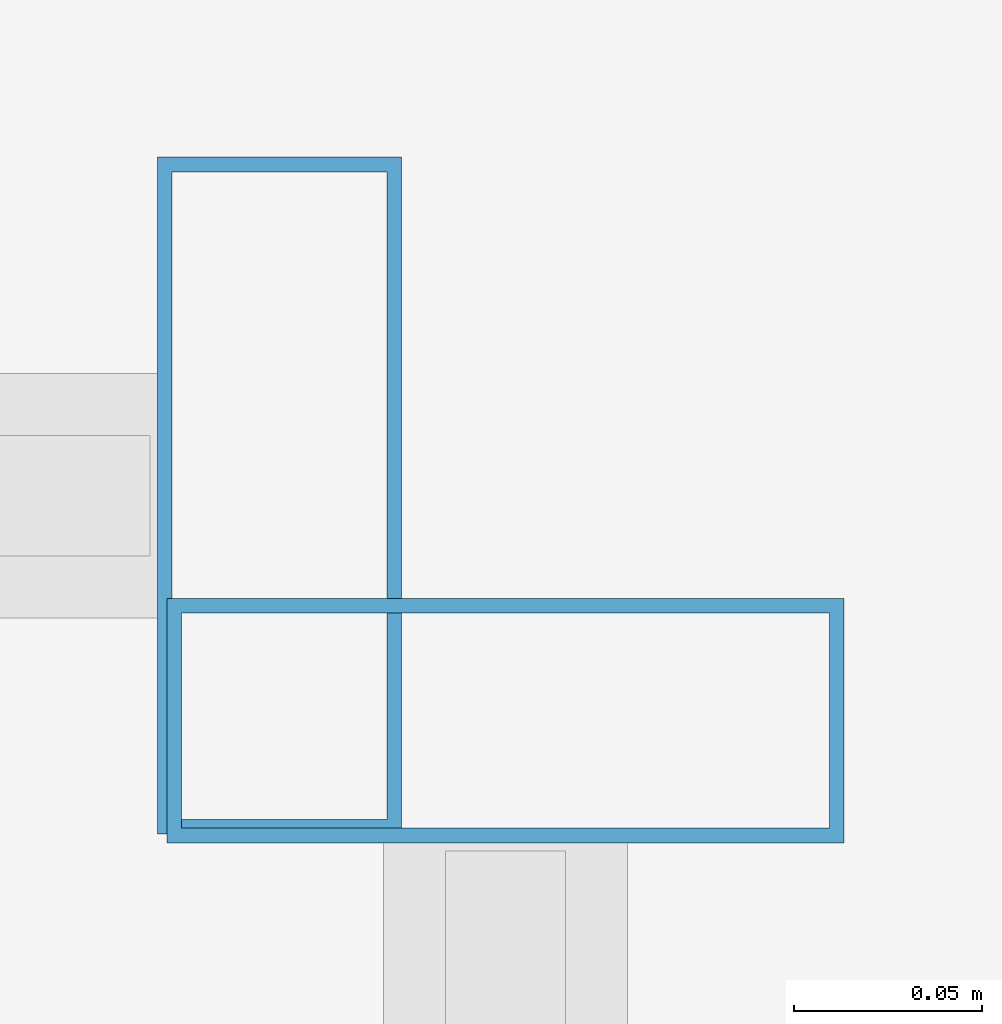
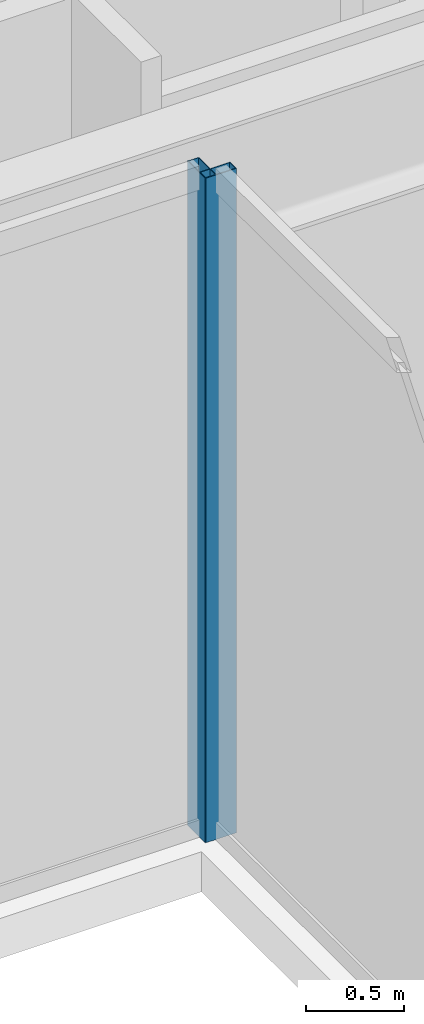
# One storey, part 14 of 37: 2 members, 2 elements without a shape of their own.
"""IFC4 building model written with IfcOpenShell, lengths in metres."""

from ifc_helpers import new_model, si_unit, direction, frame, origin, origin_2d, place, context, subcontext, project, spatial, hollow_rectangle, extrude, material, material_profile, profile_set, type_object, element, aggregate, save


model = new_model("IFC4")

# Units and contexts
model_context = context("Model", 3, precision=1e-05, world=origin(), true_north=direction((0.0, 1.0)))
body_context = subcontext(model_context, "Body", "Model", "MODEL_VIEW")
ifc_project = project(units=[si_unit("LENGTHUNIT", "METRE"), si_unit("AREAUNIT", "SQUARE_METRE"), si_unit("VOLUMEUNIT", "CUBIC_METRE"), si_unit("PLANEANGLEUNIT", "RADIAN"), si_unit("MASSUNIT", "GRAM", prefix="KILO")], contexts=[model_context])

# Site, building, storey
site_placement = place(None, origin())
site = spatial("IfcSite", under=ifc_project, at=site_placement, CompositionType="ELEMENT")
building_placement = place(site_placement, origin())
building = spatial("IfcBuilding", under=site, at=building_placement, Name="Saevonmaru Cultural Tower", CompositionType="ELEMENT")
storey_placement = place(building_placement, frame((0.0, 0.0, 110.39990234375)))
storey = spatial("IfcBuildingStorey", under=building, at=storey_placement, Name="L23", CompositionType="ELEMENT", Elevation=110.39990234375)

# Curtain wall, member
ifc_material = material(Name="Satin Bronze Anodised Aluminium", Category="aluminium")
curtain_wall_type = type_object("IfcCurtainWallType", Name="CW-ATR-GLZ", PredefinedType="NOTDEFINED", material=ifc_material)
curtain_wall_1_placement = place(storey_placement, origin())
curtain_wall_1 = element("IfcCurtainWall", 1, at=curtain_wall_1_placement, inside=storey, type_object=curtain_wall_type, Name="L23 Vertical Atrium Glazed Smoke Screen 2", PredefinedType="NOTDEFINED")
ifc_material_profile = material_profile(ifc_material, hollow_rectangle(XDim=0.06494140625, YDim=0.179931640625, WallThickness=0.00390625, at=origin_2d()), Name="ALU-MULL-180x65x4")
ifc_profile_set = profile_set([ifc_material_profile], Name="Satin Bronze Anodised Aluminium")
member_type = type_object("IfcMemberType", Name="ML-CW-INT-180x65", PredefinedType="MULLION", material=ifc_profile_set)
member_1_placement = place(storey_placement, frame((35.949951171875, 37.570068359375, 0.0), z_axis=(0.0, 0.0, 1.0), x_axis=(0.0, 1.0, 0.0)))
member_1 = element("IfcMember", 2, at=member_1_placement, type_object=member_type, Name="CW-ATR-L23-2 mullion 3", PredefinedType="MULLION", context=body_context, shape_type="SweptSolid", body=[
    extrude(hollow_rectangle(XDim=0.06494140625, YDim=0.179931640625, WallThickness=0.00390625, at=origin_2d()), origin(), (0.0, 0.0, 1.0), 4.150146484375),
])
aggregate(curtain_wall_1, [member_1])

curtain_wall_2_placement = place(storey_placement, origin())
curtain_wall_2 = element("IfcCurtainWall", 3, at=curtain_wall_2_placement, inside=storey, type_object=curtain_wall_type, Name="L23 Vertical Atrium Glazed Smoke Screen 3", PredefinedType="NOTDEFINED")
member_2_placement = place(storey_placement, frame((35.889892578125, 37.6298828125, 0.0), z_axis=(0.0, 0.0, 1.0), x_axis=(-1.0, 0.0, 0.0)))
member_2 = element("IfcMember", 4, at=member_2_placement, type_object=member_type, Name="CW-ATR-L23-3 mullion 1", PredefinedType="MULLION", context=body_context, shape_type="SweptSolid", body=[
    extrude(hollow_rectangle(XDim=0.06494140625, YDim=0.179931640625, WallThickness=0.00390625, at=origin_2d()), origin(), (0.0, 0.0, 1.0), 4.150146484375),
])
aggregate(curtain_wall_2, [member_2])

save(model, "model.ifc")
